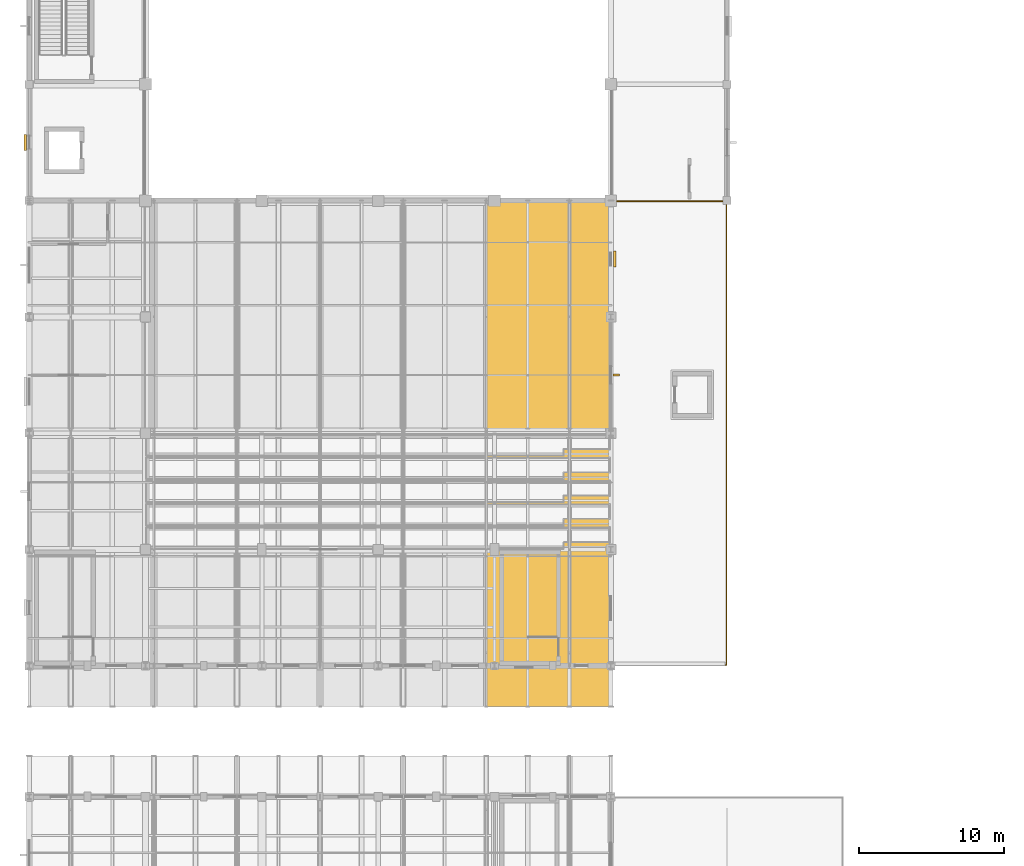
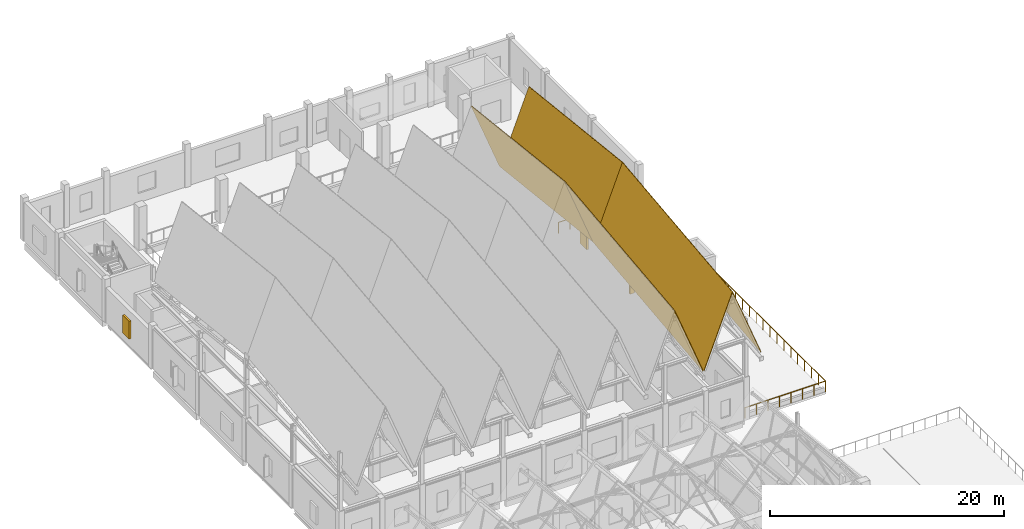
# One storey, part 69 of 77: 6 coverings, 3 shading devices, 1 railing.
"""IFC4 building model written with IfcOpenShell, lengths in metres."""

from ifc_helpers import new_model, si_unit, direction, frame, origin, origin_2d, place, context, subcontext, project, spatial, polyline, rectangle, circle, outline, extrude, material, layer, layer_set, type_object, element, save


model = new_model("IFC4")

# Units and contexts
model_context = context("Model", 3, precision=1e-05, world=origin(), true_north=direction((0.0, 1.0)))
body_context = subcontext(model_context, "Body", "Model", "MODEL_VIEW")
ifc_project = project(units=[si_unit("LENGTHUNIT", "METRE"), si_unit("AREAUNIT", "SQUARE_METRE"), si_unit("VOLUMEUNIT", "CUBIC_METRE"), si_unit("PLANEANGLEUNIT", "RADIAN"), si_unit("MASSUNIT", "GRAM", prefix="KILO")], contexts=[model_context])

# Site, building, storey
site_placement = place(None, origin())
site = spatial("IfcSite", under=ifc_project, at=site_placement, CompositionType="ELEMENT")
building_placement = place(site_placement, origin())
building = spatial("IfcBuilding", under=site, at=building_placement, Name="Luwemba Playhouse", CompositionType="ELEMENT")
storey_placement = place(building_placement, frame((0.0, 0.0, 9.300048828125)))
storey = spatial("IfcBuildingStorey", under=building, at=storey_placement, Name="L02", CompositionType="ELEMENT", Elevation=9.300048828125)

# Coverings
ifc_material_1 = material(Name="Glazed terracotta clay roof tile", Category="masonry")
ifc_layer = layer(ifc_material_1, 0.06494140625)
ifc_layer_set = layer_set([ifc_layer], Name="Glazed terracotta clay roof tile")
covering_type = type_object("IfcCoveringType", Name="COV-ROOF-TILE", PredefinedType="ROOFING", material=ifc_layer_set)
covering_1_placement = place(storey_placement, frame((35.45361328125, 33.199951171875, 15.952392578125), z_axis=(0.932207198842, -0.040341116485, 0.359669755119), x_axis=(0.359962777117, 0.0, -0.932966665583)))
element("IfcCovering", 1, at=covering_1_placement, inside=storey, type_object=covering_type, Name="RF-V1 glazed clay-tile roofing 12S", PredefinedType="ROOFING", context=body_context, shape_type="SweptSolid", body=[
    extrude(outline(polyline([(0.0, 0.0), (7.798386624108571, 0.0), (5.83109338908804, 18.8153651782156), (-1.9672932350205299, 18.815365178215604), (0.0, 0.0)])), origin(), (0.0, 0.0, -1.0), 0.06494140625),
])
covering_2_placement = place(storey_placement, frame((35.45361328125, 52.0, 18.06103515625), z_axis=(0.932207120249, 0.040343202926, 0.359669724795), x_axis=(0.359962777117, 0.0, -0.932966665583)))
element("IfcCovering", 2, at=covering_2_placement, inside=storey, type_object=covering_type, Name="RF-V1 glazed clay-tile roofing 12N", PredefinedType="ROOFING", context=body_context, shape_type="SweptSolid", body=[
    extrude(outline(polyline([(0.0, 0.0), (7.798386624108571, -1.3877787807814457e-17), (9.47276112574524, 16.013036507749877), (1.6743745016366696, 16.013036507749877), (0.0, 0.0)])), origin(), (0.0, 0.0, -1.0), 0.06494140625),
])
covering_3_placement = place(storey_placement, frame((38.310791015625, 33.199951171875, 8.6767578125), z_axis=(-0.932209159723, -0.040342859842, 0.359664477241), x_axis=(0.359957528853, -2.27127e-07, 0.932968690483)))
element("IfcCovering", 3, at=covering_3_placement, inside=storey, type_object=covering_type, Name="RF-V1 glazed clay-tile roofing 13S", PredefinedType="ROOFING", context=body_context, shape_type="SweptSolid", body=[
    extrude(outline(polyline([(0.0, 0.0), (7.798386623984982, 0.0), (9.76590763434871, 18.81536872357951), (1.9672932348045293, 18.815365178186966), (0.0, 0.0)])), origin(), (0.0, 0.0, -1.0), 0.06494140625),
])
covering_4_placement = place(storey_placement, frame((38.310791015625, 52.0, 10.785400390625), z_axis=(-0.932211217574, 0.040342026533, 0.359659236953), x_axis=(0.359952263619, 0.0, 0.932970721896)))
element("IfcCovering", 4, at=covering_4_placement, inside=storey, type_object=covering_type, Name="RF-V1 glazed clay-tile roofing 13N", PredefinedType="ROOFING", context=body_context, shape_type="SweptSolid", body=[
    extrude(outline(polyline([(0.0, 0.0), (7.798614399668574, 0.0), (6.124232618257437, 16.013035746551616), (-1.6743817814111364, 16.013035746551616), (0.0, 0.0)])), origin(), (0.0, 0.0, -1.0), 0.06494140625),
])
covering_5_placement = place(storey_placement, frame((41.16796875, 33.199951171875, 15.952392578125), z_axis=(0.932207198842, -0.040341116485, 0.359669755119), x_axis=(0.359962777117, 0.0, -0.932966665583)))
element("IfcCovering", 5, at=covering_5_placement, inside=storey, type_object=covering_type, Name="RF-V1 glazed clay-tile roofing 14S", PredefinedType="ROOFING", context=body_context, shape_type="SweptSolid", body=[
    extrude(outline(polyline([(0.0, 0.0), (7.798386624108571, 0.0), (5.83109338908804, 18.8153651782156), (-1.9672932350205299, 18.815365178215604), (0.0, 0.0)])), origin(), (0.0, 0.0, -1.0), 0.06494140625),
])
covering_6_placement = place(storey_placement, frame((41.16796875, 52.0, 18.06103515625), z_axis=(0.932207120249, 0.040343202926, 0.359669724795), x_axis=(0.359962777117, 0.0, -0.932966665583)))
element("IfcCovering", 6, at=covering_6_placement, inside=storey, type_object=covering_type, Name="RF-V1 glazed clay-tile roofing 14N", PredefinedType="ROOFING", context=body_context, shape_type="SweptSolid", body=[
    extrude(outline(polyline([(0.0, 0.0), (7.798386624108571, -1.3877787807814457e-17), (9.47276112574524, 16.013036507749877), (1.6743745016366696, 16.013036507749877), (0.0, 0.0)])), origin(), (0.0, 0.0, -1.0), 0.06494140625),
])

# Railing
ifc_material_2 = material(Name="Painted wrought-iron balustrade", Category="steel")
railing_type = type_object("IfcRailingType", Name="RLG-BAL-EXT", PredefinedType="BALUSTRADE", material=ifc_material_2)
railing_placement = place(storey_placement, frame((44.0, 36.050048828125, 0.0)))
element("IfcRailing", 7, at=railing_placement, inside=storey, type_object=railing_type, Name="L02 Lyric Cloister Terrace perimeter guard", PredefinedType="BALUSTRADE", context=body_context, shape_type="SweptSolid", body=[
    extrude(circle(Radius=0.02392578125, at=origin_2d()), frame((0.0, 0.0, 1.09619140625), z_axis=(1.0, 0.0, 0.0), x_axis=(0.0, 1.0, 0.0)), (0.0, 0.0, 1.0), 7.949951171875),
    extrude(circle(Radius=0.02392578125, at=origin_2d()), frame((7.949951171875, 0.0, 1.09619140625), z_axis=(0.0, 1.0, 0.0), x_axis=(-1.0, 0.0, 0.0)), (0.0, 0.0, 1.0), 31.89990234375),
    extrude(circle(Radius=0.02392578125, at=origin_2d()), frame((7.949951171875, 31.89990234375, 1.09619140625), z_axis=(-1.0, 0.0, 0.0), x_axis=(0.0, -1.0, 0.0)), (0.0, 0.0, 1.0), 7.949951171875),
    extrude(circle(Radius=0.02099609375, at=origin_2d()), origin(), (0.0, 0.0, 1.0), 1.072021484375),
    extrude(circle(Radius=0.02099609375, at=origin_2d()), frame((1.1357421875, 0.0, 0.0)), (0.0, 0.0, 1.0), 1.072021484375),
    extrude(circle(Radius=0.02099609375, at=origin_2d()), frame((2.271484375, 0.0, 0.0)), (0.0, 0.0, 1.0), 1.072021484375),
    extrude(circle(Radius=0.02099609375, at=origin_2d()), frame((3.4072265625, 0.0, 0.0)), (0.0, 0.0, 1.0), 1.072021484375),
    extrude(circle(Radius=0.02099609375, at=origin_2d()), frame((4.542724609375, 0.0, 0.0)), (0.0, 0.0, 1.0), 1.072021484375),
    extrude(circle(Radius=0.02099609375, at=origin_2d()), frame((5.678466796875, 0.0, 0.0)), (0.0, 0.0, 1.0), 1.072021484375),
    extrude(circle(Radius=0.02099609375, at=origin_2d()), frame((6.814208984375, 0.0, 0.0)), (0.0, 0.0, 1.0), 1.072021484375),
    extrude(circle(Radius=0.02099609375, at=origin_2d()), frame((7.949951171875, 0.0, 0.0)), (0.0, 0.0, 1.0), 1.072021484375),
    extrude(circle(Radius=0.02099609375, at=origin_2d()), frame((7.949951171875, 1.181396484375, 0.0)), (0.0, 0.0, 1.0), 1.072021484375),
    extrude(circle(Radius=0.02099609375, at=origin_2d()), frame((7.949951171875, 2.363037109375, 0.0)), (0.0, 0.0, 1.0), 1.072021484375),
    extrude(circle(Radius=0.02099609375, at=origin_2d()), frame((7.949951171875, 3.54443359375, 0.0)), (0.0, 0.0, 1.0), 1.072021484375),
    extrude(circle(Radius=0.02099609375, at=origin_2d()), frame((7.949951171875, 4.725830078125, 0.0)), (0.0, 0.0, 1.0), 1.072021484375),
    extrude(circle(Radius=0.02099609375, at=origin_2d()), frame((7.949951171875, 5.907470703125, 0.0)), (0.0, 0.0, 1.0), 1.072021484375),
    extrude(circle(Radius=0.02099609375, at=origin_2d()), frame((7.949951171875, 7.0888671875, 0.0)), (0.0, 0.0, 1.0), 1.072021484375),
    extrude(circle(Radius=0.02099609375, at=origin_2d()), frame((7.949951171875, 8.270263671875, 0.0)), (0.0, 0.0, 1.0), 1.072021484375),
    extrude(circle(Radius=0.02099609375, at=origin_2d()), frame((7.949951171875, 9.451904296875, 0.0)), (0.0, 0.0, 1.0), 1.072021484375),
    extrude(circle(Radius=0.02099609375, at=origin_2d()), frame((7.949951171875, 10.63330078125, 0.0)), (0.0, 0.0, 1.0), 1.072021484375),
    extrude(circle(Radius=0.02099609375, at=origin_2d()), frame((7.949951171875, 11.814697265625, 0.0)), (0.0, 0.0, 1.0), 1.072021484375),
    extrude(circle(Radius=0.02099609375, at=origin_2d()), frame((7.949951171875, 12.996337890625, 0.0)), (0.0, 0.0, 1.0), 1.072021484375),
    extrude(circle(Radius=0.02099609375, at=origin_2d()), frame((7.949951171875, 14.177734375, 0.0)), (0.0, 0.0, 1.0), 1.072021484375),
    extrude(circle(Radius=0.02099609375, at=origin_2d()), frame((7.949951171875, 15.359130859375, 0.0)), (0.0, 0.0, 1.0), 1.072021484375),
    extrude(circle(Radius=0.02099609375, at=origin_2d()), frame((7.949951171875, 16.540771484375, 0.0)), (0.0, 0.0, 1.0), 1.072021484375),
    extrude(circle(Radius=0.02099609375, at=origin_2d()), frame((7.949951171875, 17.72216796875, 0.0)), (0.0, 0.0, 1.0), 1.072021484375),
    extrude(circle(Radius=0.02099609375, at=origin_2d()), frame((7.949951171875, 18.903564453125, 0.0)), (0.0, 0.0, 1.0), 1.072021484375),
    extrude(circle(Radius=0.02099609375, at=origin_2d()), frame((7.949951171875, 20.085205078125, 0.0)), (0.0, 0.0, 1.0), 1.072021484375),
    extrude(circle(Radius=0.02099609375, at=origin_2d()), frame((7.949951171875, 21.2666015625, 0.0)), (0.0, 0.0, 1.0), 1.072021484375),
    extrude(circle(Radius=0.02099609375, at=origin_2d()), frame((7.949951171875, 22.447998046875, 0.0)), (0.0, 0.0, 1.0), 1.072021484375),
    extrude(circle(Radius=0.02099609375, at=origin_2d()), frame((7.949951171875, 23.629638671875, 0.0)), (0.0, 0.0, 1.0), 1.072021484375),
    extrude(circle(Radius=0.02099609375, at=origin_2d()), frame((7.949951171875, 24.81103515625, 0.0)), (0.0, 0.0, 1.0), 1.072021484375),
    extrude(circle(Radius=0.02099609375, at=origin_2d()), frame((7.949951171875, 25.992431640625, 0.0)), (0.0, 0.0, 1.0), 1.072021484375),
    extrude(circle(Radius=0.02099609375, at=origin_2d()), frame((7.949951171875, 27.174072265625, 0.0)), (0.0, 0.0, 1.0), 1.072021484375),
    extrude(circle(Radius=0.02099609375, at=origin_2d()), frame((7.949951171875, 28.35546875, 0.0)), (0.0, 0.0, 1.0), 1.072021484375),
    extrude(circle(Radius=0.02099609375, at=origin_2d()), frame((7.949951171875, 29.536865234375, 0.0)), (0.0, 0.0, 1.0), 1.072021484375),
    extrude(circle(Radius=0.02099609375, at=origin_2d()), frame((7.949951171875, 30.718505859375, 0.0)), (0.0, 0.0, 1.0), 1.072021484375),
    extrude(circle(Radius=0.02099609375, at=origin_2d()), frame((7.949951171875, 31.89990234375, 0.0)), (0.0, 0.0, 1.0), 1.072021484375),
    extrude(circle(Radius=0.02099609375, at=origin_2d()), frame((6.814208984375, 31.89990234375, 0.0)), (0.0, 0.0, 1.0), 1.072021484375),
    extrude(circle(Radius=0.02099609375, at=origin_2d()), frame((5.678466796875, 31.89990234375, 0.0)), (0.0, 0.0, 1.0), 1.072021484375),
    extrude(circle(Radius=0.02099609375, at=origin_2d()), frame((4.542724609375, 31.89990234375, 0.0)), (0.0, 0.0, 1.0), 1.072021484375),
    extrude(circle(Radius=0.02099609375, at=origin_2d()), frame((3.4072265625, 31.89990234375, 0.0)), (0.0, 0.0, 1.0), 1.072021484375),
    extrude(circle(Radius=0.02099609375, at=origin_2d()), frame((2.271484375, 31.89990234375, 0.0)), (0.0, 0.0, 1.0), 1.072021484375),
    extrude(circle(Radius=0.02099609375, at=origin_2d()), frame((1.1357421875, 31.89990234375, 0.0)), (0.0, 0.0, 1.0), 1.072021484375),
    extrude(circle(Radius=0.02099609375, at=origin_2d()), frame((0.0, 31.89990234375, 0.0)), (0.0, 0.0, 1.0), 1.072021484375),
])

# Shading devices
ifc_material_3 = material(Name="Extruded terracotta brise-soleil fin on steel bracket", Category="masonry")
shading_device_type_1 = type_object("IfcShadingDeviceType", Name="SHD-BRISE", PredefinedType="USERDEFINED", material=ifc_material_3)
shading_device_placement = place(storey_placement, frame((44.360107421875, 56.0, 0.82470703125), z_axis=(0.0, 0.0, 1.0), x_axis=(0.0, -1.0, 0.0)))
element("IfcShadingDevice", 8, at=shading_device_placement, inside=storey, type_object=shading_device_type_1, Name="L02 terracotta brise-soleil fin 043", ObjectType="TERRACOTTA BRISE SOLEIL", PredefinedType="USERDEFINED", context=body_context, shape_type="SweptSolid", body=[
    extrude(rectangle(XDim=0.139892578125, YDim=0.449951171875, at=origin_2d()), origin(), (0.0, 0.0, 1.0), 2.050048828125),
])
ifc_material_4 = material(Name="Kiln-fired terracotta gelosia louvre screen", Category="masonry")
shading_device_type_2 = type_object("IfcShadingDeviceType", Name="SHD-GELOSIA", PredefinedType="JALOUSIE", material=ifc_material_4)
for number, where, z_axis, x_axis, name in (
    (9, (44.27490234375, 63.97509765625, 0.9248046875), (0.0, 0.0, 1.0), (0.0, -1.0, 0.0), "L02 fired-clay gelosia screen 042"),
    (10, (3.72509765625, 72.0, 0.9248046875), (0.0, 0.0, 1.0), (0.0, 1.0, 0.0), "L02 fired-clay gelosia screen 044"),
):
    element("IfcShadingDevice", number, at=place(storey_placement, frame(where, z_axis=z_axis, x_axis=x_axis)), inside=storey, type_object=shading_device_type_2, Name=name, PredefinedType="JALOUSIE", context=body_context, shape_type="SweptSolid", body=[
        extrude(rectangle(XDim=1.10009765625, YDim=0.179931640625, at=origin_2d()), origin(), (0.0, 0.0, 1.0), 1.85009765625),
    ])

save(model, "model.ifc")
